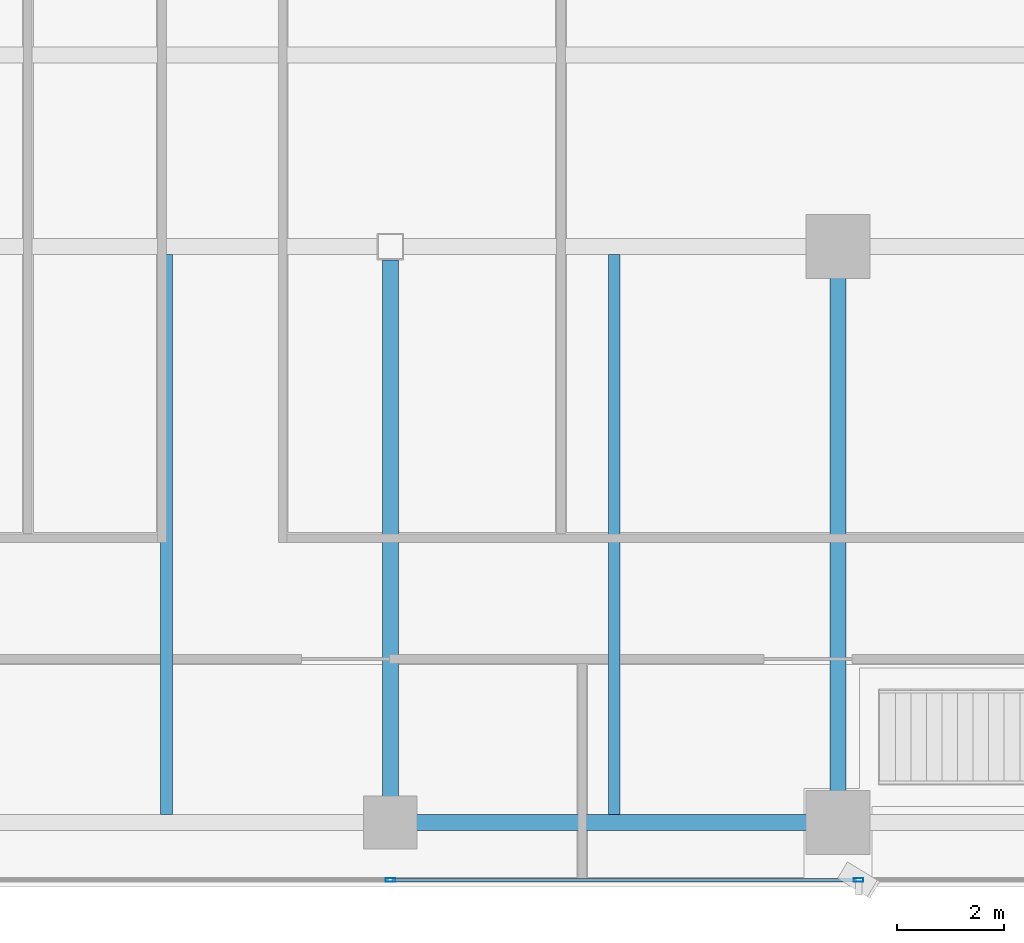
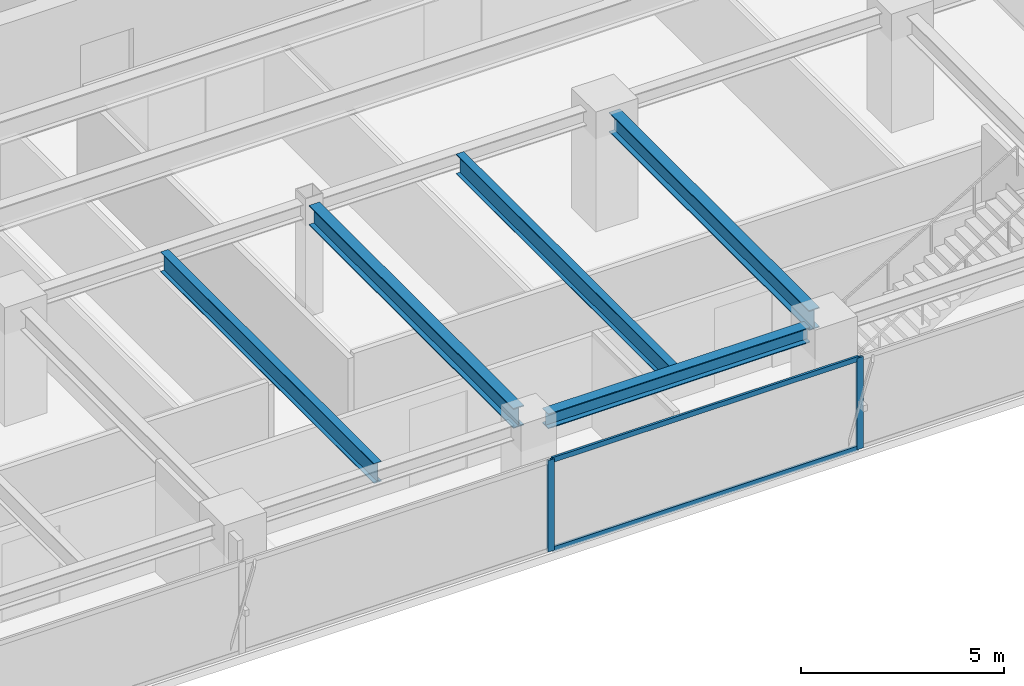
# One storey, part 4 of 22: 5 beams, 4 members, 1 element without a shape of its own.
"""IFC4 building model written with IfcOpenShell, lengths in metres."""

from ifc_helpers import new_model, si_unit, direction, frame, origin, origin_2d, place, context, subcontext, project, spatial, hollow_rectangle, i_section, extrude, source, transform, mapped, material, layer, layer_set, material_profile, profile_set, type_object, element, aggregate, save


model = new_model("IFC4")

# Units and contexts
model_context = context("Model", 3, precision=1e-05, world=origin(), true_north=direction((0.0, 1.0)))
body_context = subcontext(model_context, "Body", "Model", "MODEL_VIEW")
ifc_project = project(units=[si_unit("LENGTHUNIT", "METRE"), si_unit("AREAUNIT", "SQUARE_METRE"), si_unit("VOLUMEUNIT", "CUBIC_METRE"), si_unit("PLANEANGLEUNIT", "RADIAN"), si_unit("MASSUNIT", "GRAM", prefix="KILO")], contexts=[model_context])

# Site, building, storey
site_placement = place(None, origin())
site = spatial("IfcSite", under=ifc_project, at=site_placement, CompositionType="ELEMENT")
building_placement = place(site_placement, origin())
building = spatial("IfcBuilding", under=site, at=building_placement, Name="Sumidabori Civic Tower", CompositionType="ELEMENT")
storey_placement = place(building_placement, frame((0.0, 0.0, 286.39990234375)))
storey = spatial("IfcBuildingStorey", under=building, at=storey_placement, Name="L75", CompositionType="ELEMENT", Elevation=286.39990234375)

# Beams
ifc_material_1 = material(Name="Steel SN490", Category="steel")
ifc_material_profile_1 = material_profile(ifc_material_1, i_section(OverallWidth=0.300048828125, OverallDepth=0.60009765625, WebThickness=0.015380859375, FlangeThickness=0.030029296875, at=origin_2d()), Name="HE 600 B")
ifc_profile_set_1 = profile_set([ifc_material_profile_1], Name="Steel SN490")
beam_type_1 = type_object("IfcBeamType", Name="BM-GIRD-600", PredefinedType="BEAM", material=ifc_profile_set_1)
shared_shape_1 = source(origin(), body_context, "Body", "SweptSolid", [
    extrude(i_section(OverallWidth=0.300048828125, OverallDepth=0.60009765625, WebThickness=0.015380859375, FlangeThickness=0.030029296875, at=origin_2d()), origin(), (0.0, 0.0, 1.0), 9.840087890625),
])
beam_1_placement = place(storey_placement, frame((8.39990234375, -10.320068359375, 3.070068359375), z_axis=(0.0, 1.0, 0.0), x_axis=(-1.0, 0.0, 0.0)))
element("IfcBeam", 1, at=beam_1_placement, inside=storey, type_object=beam_type_1, Name="Primary Girder L75 GY-14", PredefinedType="BEAM", context=body_context, shape_type="MappedRepresentation", body=[
    mapped(shared_shape_1, transform((0.0, 0.0, 0.0), x_axis=(1.0, 0.0, 0.0), y_axis=(0.0, 1.0, 0.0), z_axis=(0.0, 0.0, 1.0), scale=1.0)),
])
ifc_material_profile_2 = material_profile(ifc_material_1, i_section(OverallWidth=0.300048828125, OverallDepth=0.449951171875, WebThickness=0.013916015625, FlangeThickness=0.02587890625, at=origin_2d()), Name="HE 450 B")
ifc_profile_set_2 = profile_set([ifc_material_profile_2], Name="Steel SN490")
beam_type_2 = type_object("IfcBeamType", Name="BM-GIRD-450", PredefinedType="BEAM", material=ifc_profile_set_2)
shared_shape_2 = source(origin(), body_context, "Body", "SweptSolid", [
    extrude(i_section(OverallWidth=0.300048828125, OverallDepth=0.449951171875, WebThickness=0.013916015625, FlangeThickness=0.02587890625, at=origin_2d()), origin(), (0.0, 0.0, 1.0), 7.43994140625),
])
beam_2_placement = place(storey_placement, frame((0.47998046875, -10.800048828125, 3.14501953125), z_axis=(1.0, 0.0, 0.0), x_axis=(0.0, 1.0, 0.0)))
element("IfcBeam", 2, at=beam_2_placement, inside=storey, type_object=beam_type_2, Name="Primary Girder L75 GX-03", PredefinedType="BEAM", context=body_context, shape_type="MappedRepresentation", body=[
    mapped(shared_shape_2, transform((0.0, 0.0, 0.0), x_axis=(1.0, 0.0, 0.0), y_axis=(0.0, 1.0, 0.0), z_axis=(0.0, 0.0, 1.0), scale=1.0)),
])
shared_shape_3 = source(origin(), body_context, "Body", "SweptSolid", [
    extrude(i_section(OverallWidth=0.300048828125, OverallDepth=0.60009765625, WebThickness=0.015380859375, FlangeThickness=0.030029296875, at=origin_2d()), origin(), (0.0, 0.0, 1.0), 10.070068359375),
])
beam_3_placement = place(storey_placement, frame((0.0, -10.320068359375, 3.070068359375), z_axis=(0.0, 1.0, 0.0), x_axis=(-1.0, 0.0, 0.0)))
element("IfcBeam", 3, at=beam_3_placement, inside=storey, type_object=beam_type_1, Name="Primary Girder L75 GY-13", PredefinedType="BEAM", context=body_context, shape_type="MappedRepresentation", body=[
    mapped(shared_shape_3, transform((0.0, 0.0, 0.0), x_axis=(1.0, 0.0, 0.0), y_axis=(0.0, 1.0, 0.0), z_axis=(0.0, 0.0, 1.0), scale=1.0)),
])
ifc_material_profile_3 = material_profile(ifc_material_1, i_section(OverallWidth=0.219970703125, OverallDepth=0.60009765625, WebThickness=0.011962890625, FlangeThickness=0.01904296875, at=origin_2d()), Name="IPE 600")
ifc_profile_set_3 = profile_set([ifc_material_profile_3], Name="Steel SN490")
beam_type_3 = type_object("IfcBeamType", Name="BM-JST-600", PredefinedType="JOIST", material=ifc_profile_set_3)
shared_shape_4 = source(origin(), body_context, "Body", "SweptSolid", [
    extrude(i_section(OverallWidth=0.219970703125, OverallDepth=0.60009765625, WebThickness=0.011962890625, FlangeThickness=0.01904296875, at=origin_2d()), origin(), (0.0, 0.0, 1.0), 10.5),
])
for number, where, z_axis, x_axis, name in (
    (4, (-4.199951171875, -10.64990234375, 3.070068359375), (0.0, 1.0, 0.0), (-1.0, 0.0, 0.0), "Upper Lens N-S Floor Joist L75 JSTV-25"),
    (5, (4.199951171875, -10.64990234375, 3.070068359375), (0.0, 1.0, 0.0), (-1.0, 0.0, 0.0), "Upper Lens N-S Floor Joist L75 JSTV-26"),
):
    element("IfcBeam", number, at=place(storey_placement, frame(where, z_axis=z_axis, x_axis=x_axis)), inside=storey, type_object=beam_type_3, Name=name, PredefinedType="JOIST", context=body_context, shape_type="MappedRepresentation", body=[
        mapped(shared_shape_4, transform((0.0, 0.0, 0.0), x_axis=(1.0, 0.0, 0.0), y_axis=(0.0, 1.0, 0.0), z_axis=(0.0, 0.0, 1.0), scale=1.0)),
    ])

# Curtain wall, members
ifc_material_2 = material(Name="Anodised Bronze Aluminium AW-6063-T6", Category="aluminium")
ifc_layer = layer(ifc_material_2, 0.179931640625, Name="Anodised Bronze Aluminium AW-6063-T6")
ifc_layer_set = layer_set([ifc_layer], Name="Anodised Bronze Aluminium AW-6063-T6")
curtain_wall_type = type_object("IfcCurtainWallType", Name="CW-SYS-6", PredefinedType="NOTDEFINED", material=ifc_layer_set)
curtain_wall_placement = place(storey_placement, origin())
curtain_wall = element("IfcCurtainWall", 6, at=curtain_wall_placement, inside=storey, type_object=curtain_wall_type, Name="Curtain Wall CW:L75:R01", PredefinedType="NOTDEFINED")
ifc_material_profile_4 = material_profile(ifc_material_2, hollow_rectangle(XDim=0.070068359375, YDim=0.179931640625, WallThickness=0.006103515625, at=origin_2d()), Name="ALU MULLION 180x70")
ifc_profile_set_4 = profile_set([ifc_material_profile_4], Name="Anodised Bronze Aluminium AW-6063-T6")
member_type_1 = type_object("IfcMemberType", Name="CW-MUL-180", PredefinedType="MULLION", material=ifc_profile_set_4)
shared_shape_5 = source(origin(), body_context, "Body", "SweptSolid", [
    extrude(hollow_rectangle(XDim=0.070068359375, YDim=0.179931640625, WallThickness=0.006103515625, at=origin_2d()), origin(), (0.0, 0.0, 1.0), 2.75),
])
member_1_placement = place(storey_placement, frame((0.0, -11.8798828125, 0.0), z_axis=(0.0, 0.0, 1.0), x_axis=(0.0, 1.0, 0.0)))
member_1 = element("IfcMember", 7, at=member_1_placement, type_object=member_type_1, Name="CW-6 mullion 3", PredefinedType="MULLION", context=body_context, shape_type="MappedRepresentation", body=[
    mapped(shared_shape_5, transform((0.0, 0.0, 0.0), x_axis=(1.0, 0.0, 0.0), y_axis=(0.0, 1.0, 0.0), z_axis=(0.0, 0.0, 1.0), scale=1.0)),
])
member_2_placement = place(storey_placement, frame((8.784912109375, -11.8798828125, 0.0), z_axis=(0.0, 0.0, 1.0), x_axis=(0.0, 1.0, 0.0)))
member_2 = element("IfcMember", 8, at=member_2_placement, type_object=member_type_1, Name="CW-6 mullion 4", PredefinedType="MULLION", context=body_context, shape_type="MappedRepresentation", body=[
    mapped(shared_shape_5, transform((0.0, 0.0, 0.0), x_axis=(1.0, 0.0, 0.0), y_axis=(0.0, 1.0, 0.0), z_axis=(0.0, 0.0, 1.0), scale=1.0)),
])
ifc_material_profile_5 = material_profile(ifc_material_2, hollow_rectangle(XDim=0.06494140625, YDim=0.14990234375, WallThickness=0.0048828125, at=origin_2d()), Name="ALU TRANSOM 150x65")
ifc_profile_set_5 = profile_set([ifc_material_profile_5], Name="Anodised Bronze Aluminium AW-6063-T6")
member_type_2 = type_object("IfcMemberType", Name="CW-TRN-150", PredefinedType="USERDEFINED", material=ifc_profile_set_5)
shared_shape_6 = source(origin(), body_context, "Body", "SweptSolid", [
    extrude(hollow_rectangle(XDim=0.06494140625, YDim=0.14990234375, WallThickness=0.0048828125, at=origin_2d()), origin(), (0.0, 0.0, 1.0), 8.715087890625),
])
member_3_placement = place(storey_placement, frame((0.034912109375, -11.8798828125, 0.03271484375), z_axis=(1.0, 0.0, 0.0), x_axis=(0.0, 1.0, 0.0)))
member_3 = element("IfcMember", 9, at=member_3_placement, type_object=member_type_2, Name="CW-6 transom 3.1", ObjectType="TRANSOM", PredefinedType="USERDEFINED", context=body_context, shape_type="MappedRepresentation", body=[
    mapped(shared_shape_6, transform((0.0, 0.0, 0.0), x_axis=(1.0, 0.0, 0.0), y_axis=(0.0, 1.0, 0.0), z_axis=(0.0, 0.0, 1.0), scale=1.0)),
])
member_4_placement = place(storey_placement, frame((0.034912109375, -11.8798828125, 2.717529296875), z_axis=(1.0, 0.0, 0.0), x_axis=(0.0, 1.0, 0.0)))
member_4 = element("IfcMember", 10, at=member_4_placement, type_object=member_type_2, Name="CW-6 transom 3.2", ObjectType="TRANSOM", PredefinedType="USERDEFINED", context=body_context, shape_type="MappedRepresentation", body=[
    mapped(shared_shape_6, transform((0.0, 0.0, 0.0), x_axis=(1.0, 0.0, 0.0), y_axis=(0.0, 1.0, 0.0), z_axis=(0.0, 0.0, 1.0), scale=1.0)),
])
aggregate(curtain_wall, [member_1, member_2, member_3, member_4])

save(model, "model.ifc")
